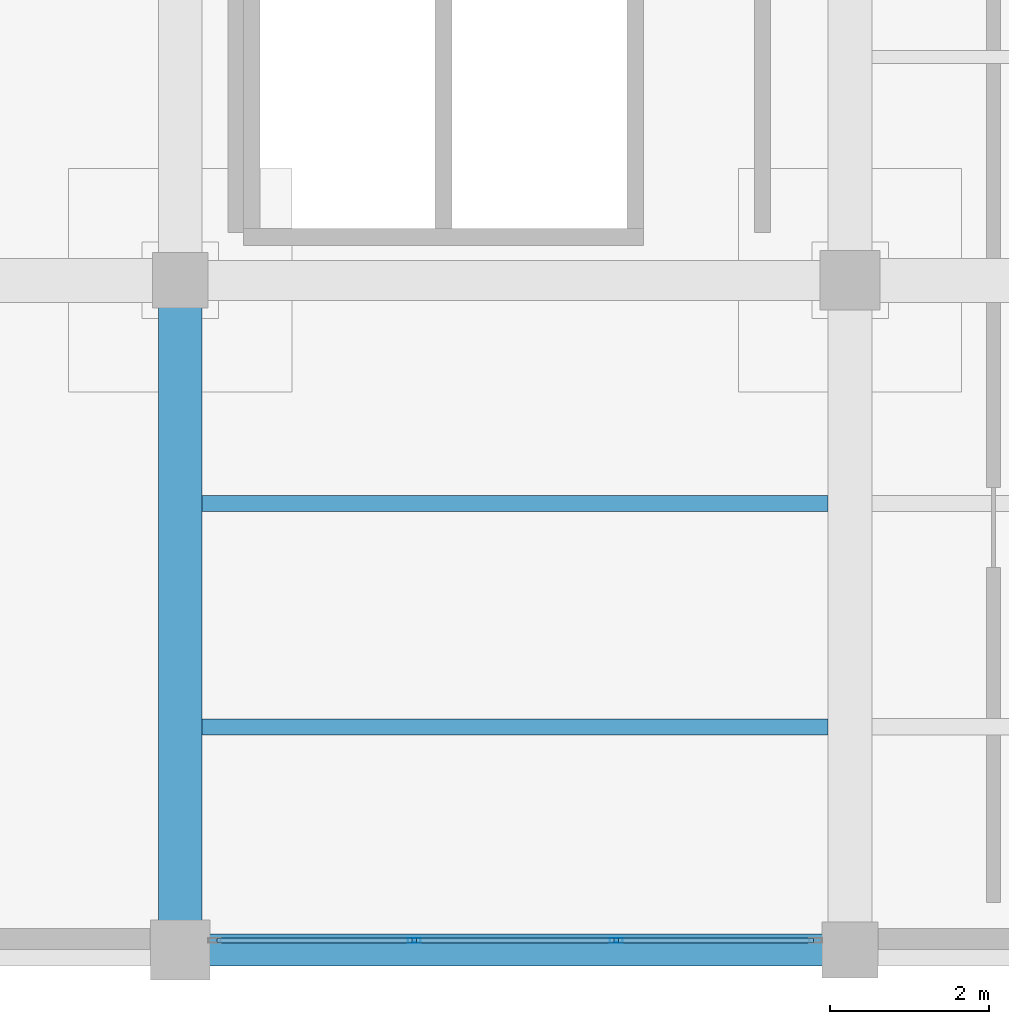
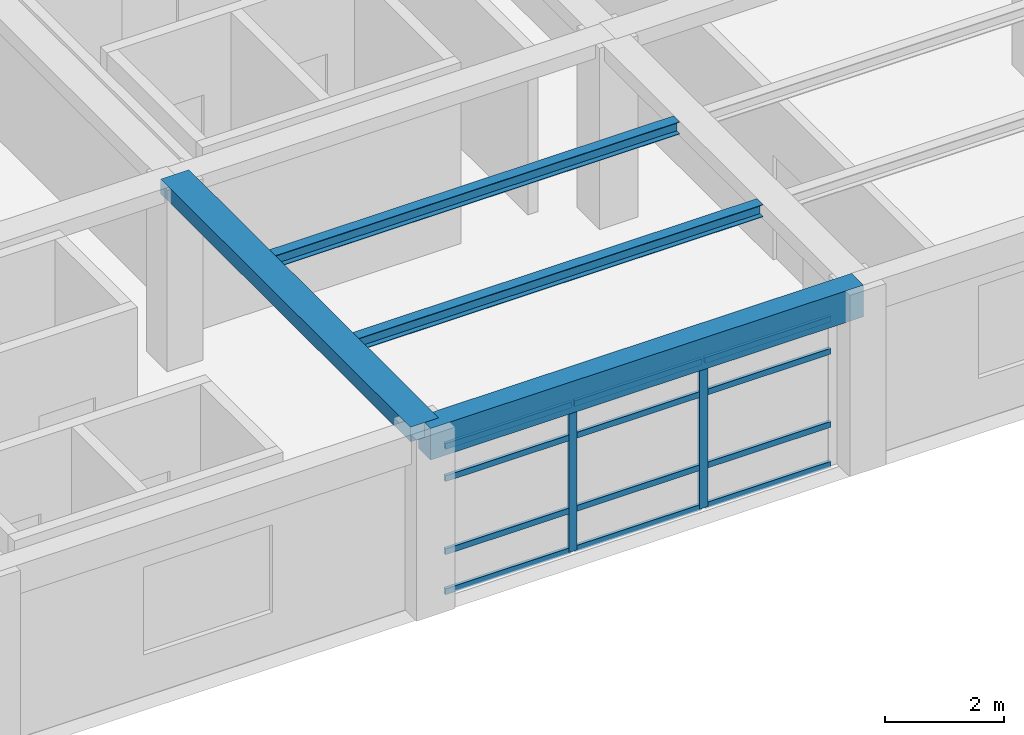
# One storey, part 6 of 31: 14 members, 4 beams, 1 element without a shape of its own.
"""IFC4 building model written with IfcOpenShell, lengths in metres."""

from ifc_helpers import new_model, si_unit, direction, frame, origin, origin_2d, place, context, subcontext, project, spatial, rectangle, hollow_rectangle, i_section, extrude, material, material_profile, profile_set, type_object, element, aggregate, save


model = new_model("IFC4")

# Units and contexts
model_context = context("Model", 3, precision=1e-05, world=origin(), true_north=direction((0.0, 1.0)))
body_context = subcontext(model_context, "Body", "Model", "MODEL_VIEW")
ifc_project = project(units=[si_unit("LENGTHUNIT", "METRE"), si_unit("AREAUNIT", "SQUARE_METRE"), si_unit("VOLUMEUNIT", "CUBIC_METRE"), si_unit("PLANEANGLEUNIT", "RADIAN"), si_unit("MASSUNIT", "GRAM", prefix="KILO")], contexts=[model_context])

# Site, building, storey
site_placement = place(None, origin())
site = spatial("IfcSite", under=ifc_project, at=site_placement, CompositionType="ELEMENT")
building_placement = place(site_placement, origin())
building = spatial("IfcBuilding", under=site, at=building_placement, Name="Almacenes y Pasaje Nevantli", CompositionType="ELEMENT")
storey_placement = place(building_placement, frame((0.0, 0.0, 34.699951171875)))
storey = spatial("IfcBuildingStorey", under=building, at=storey_placement, Name="L08", CompositionType="ELEMENT", Elevation=34.699951171875)

# Beams
ifc_material_1 = material(Name="Concrete C35/45", Category="concrete")
ifc_material_profile_1 = material_profile(ifc_material_1, rectangle(XDim=0.39990234375, YDim=0.64990234375, at=origin_2d()), Name="RC-BM-400x650")
ifc_profile_set_1 = profile_set([ifc_material_profile_1], Name="Concrete C35/45")
beam_type_1 = type_object("IfcBeamType", Name="BM-RC-400x650", PredefinedType="SPANDREL", material=ifc_profile_set_1)
beam_1_placement = place(storey_placement, frame((134.39990234375, 67.199951171875, 3.39501953125), z_axis=(1.0, 0.0, 0.0), x_axis=(0.0, 1.0, 0.0)))
element("IfcBeam", 1, at=beam_1_placement, inside=storey, type_object=beam_type_1, Name="L08 East-West Reinforced Concrete Beam #3688", PredefinedType="SPANDREL", context=body_context, shape_type="SweptSolid", body=[
    extrude(rectangle(XDim=0.39990234375, YDim=0.64990234375, at=origin_2d()), origin(), (0.0, 0.0, 1.0), 8.400146484375),
])
ifc_material_2 = material(Name="Concrete C35/45", Category="concrete")
ifc_material_profile_2 = material_profile(ifc_material_2, rectangle(XDim=0.550048828125, YDim=0.300048828125, at=origin_2d()), Name="RC-BM-550x300")
ifc_profile_set_2 = profile_set([ifc_material_profile_2], Name="Concrete C35/45")
beam_type_2 = type_object("IfcBeamType", Name="BM-RC-550x300", PredefinedType="BEAM", material=ifc_profile_set_2)
beam_2_placement = place(storey_placement, frame((134.39990234375, 67.199951171875, 3.570068359375), z_axis=(0.0, 1.0, 0.0), x_axis=(-1.0, 0.0, 0.0)))
element("IfcBeam", 2, at=beam_2_placement, inside=storey, type_object=beam_type_2, Name="L08 North-South Reinforced Concrete Beam #3726", PredefinedType="BEAM", context=body_context, shape_type="SweptSolid", body=[
    extrude(rectangle(XDim=0.550048828125, YDim=0.300048828125, at=origin_2d()), origin(), (0.0, 0.0, 1.0), 8.400146484375),
])
ifc_material_3 = material(Name="Steel ASTM A992", Category="steel")
ifc_material_profile_3 = material_profile(ifc_material_3, i_section(OverallWidth=0.202880859375, OverallDepth=0.25390625, WebThickness=0.00732421875, FlangeThickness=0.010986328125, at=origin_2d()), Name="IR 254x49.1")
ifc_profile_set_3 = profile_set([ifc_material_profile_3], Name="Steel ASTM A992")
beam_type_3 = type_object("IfcBeamType", Name="BM-STL-IR-254x49p1", PredefinedType="JOIST", material=ifc_profile_set_3)
for number, where, z_axis, x_axis, name in (
    (3, (134.675048828125, 70.0, 3.5849609375), (1.0, 0.0, 0.0), (0.0, 1.0, 0.0), "L08 Secondary Steel Floor Joist #1435"),
    (4, (134.675048828125, 72.800048828125, 3.5849609375), (1.0, 0.0, 0.0), (0.0, 1.0, 0.0), "L08 Secondary Steel Floor Joist #1436"),
):
    element("IfcBeam", number, at=place(storey_placement, frame(where, z_axis=z_axis, x_axis=x_axis)), inside=storey, type_object=beam_type_3, Name=name, PredefinedType="JOIST", context=body_context, shape_type="SweptSolid", body=[
        extrude(i_section(OverallWidth=0.202880859375, OverallDepth=0.25390625, WebThickness=0.00732421875, FlangeThickness=0.010986328125, at=origin_2d()), origin(), (0.0, 0.0, 1.0), 7.849853515625),
    ])

# Curtain wall, members
ifc_material_4 = material(Name="Thermally Broken Aluminium and Low-E Glass", Category="aluminium")
curtain_wall_type = type_object("IfcCurtainWallType", Name="CW-UNIT-TOWER", PredefinedType="USERDEFINED", material=ifc_material_4)
curtain_wall_placement = place(storey_placement, origin())
curtain_wall = element("IfcCurtainWall", 5, at=curtain_wall_placement, inside=storey, type_object=curtain_wall_type, Name="L08 Tower South Unitized Curtain Wall Bay 17", ObjectType="UNITIZED CURTAIN WALL", PredefinedType="USERDEFINED")
ifc_material_5 = material(Name="Thermally Broken Anodized Aluminium", Category="aluminium")
ifc_material_profile_4 = material_profile(ifc_material_5, hollow_rectangle(XDim=0.06005859375, YDim=0.159912109375, WallThickness=0.00390625, at=origin_2d()), Name="ALU-MUL-60x160")
ifc_profile_set_4 = profile_set([ifc_material_profile_4], Name="Thermally Broken Anodized Aluminium")
member_type_1 = type_object("IfcMemberType", Name="CW-MUL-180", PredefinedType="MULLION", material=ifc_profile_set_4)
member_1_placement = place(storey_placement, frame((137.333251953125, 67.320068359375, 0.0), z_axis=(0.0, 0.0, 1.0), x_axis=(0.0, 1.0, 0.0)))
member_1 = element("IfcMember", 6, at=member_1_placement, type_object=member_type_1, Name="CW-L08-124 mullion 2", PredefinedType="MULLION", context=body_context, shape_type="SweptSolid", body=[
    extrude(hollow_rectangle(XDim=0.06005859375, YDim=0.159912109375, WallThickness=0.00390625, at=origin_2d()), origin(), (0.0, 0.0, 1.0), 3.0400390625),
])
member_2_placement = place(storey_placement, frame((139.86669921875, 67.320068359375, 0.0), z_axis=(0.0, 0.0, 1.0), x_axis=(0.0, 1.0, 0.0)))
member_2 = element("IfcMember", 7, at=member_2_placement, type_object=member_type_1, Name="CW-L08-124 mullion 3", PredefinedType="MULLION", context=body_context, shape_type="SweptSolid", body=[
    extrude(hollow_rectangle(XDim=0.06005859375, YDim=0.159912109375, WallThickness=0.00390625, at=origin_2d()), origin(), (0.0, 0.0, 1.0), 3.0400390625),
])
ifc_material_6 = material(Name="Thermally Broken Anodized Aluminium", Category="aluminium")
ifc_material_profile_5 = material_profile(ifc_material_6, hollow_rectangle(XDim=0.06005859375, YDim=0.1201171875, WallThickness=0.00341796875, at=origin_2d()), Name="ALU-TRN-60x120")
ifc_profile_set_5 = profile_set([ifc_material_profile_5], Name="Thermally Broken Anodized Aluminium")
member_type_2 = type_object("IfcMemberType", Name="CW-TRN-130", PredefinedType="USERDEFINED", material=ifc_profile_set_5)
member_3_placement = place(storey_placement, frame((134.860107421875, 67.320068359375, 0.030029296875), z_axis=(1.0, 0.0, 0.0), x_axis=(0.0, 1.0, 0.0)))
member_3 = element("IfcMember", 8, at=member_3_placement, type_object=member_type_2, Name="CW-L08-124 transom 1.1", ObjectType="TRANSOM", PredefinedType="USERDEFINED", context=body_context, shape_type="SweptSolid", body=[
    extrude(hollow_rectangle(XDim=0.06005859375, YDim=0.1201171875, WallThickness=0.00341796875, at=origin_2d()), origin(), (0.0, 0.0, 1.0), 2.443115234375),
])
member_4_placement = place(storey_placement, frame((134.860107421875, 67.320068359375, 0.85009765625), z_axis=(1.0, 0.0, 0.0), x_axis=(0.0, 1.0, 0.0)))
member_4 = element("IfcMember", 9, at=member_4_placement, type_object=member_type_2, Name="CW-L08-124 transom 1.2", ObjectType="TRANSOM", PredefinedType="USERDEFINED", context=body_context, shape_type="SweptSolid", body=[
    extrude(hollow_rectangle(XDim=0.06005859375, YDim=0.1201171875, WallThickness=0.00341796875, at=origin_2d()), origin(), (0.0, 0.0, 1.0), 2.443115234375),
])
member_5_placement = place(storey_placement, frame((134.860107421875, 67.320068359375, 2.35009765625), z_axis=(1.0, 0.0, 0.0), x_axis=(0.0, 1.0, 0.0)))
member_5 = element("IfcMember", 10, at=member_5_placement, type_object=member_type_2, Name="CW-L08-124 transom 1.3", ObjectType="TRANSOM", PredefinedType="USERDEFINED", context=body_context, shape_type="SweptSolid", body=[
    extrude(hollow_rectangle(XDim=0.06005859375, YDim=0.1201171875, WallThickness=0.00341796875, at=origin_2d()), origin(), (0.0, 0.0, 1.0), 2.443115234375),
])
member_6_placement = place(storey_placement, frame((134.860107421875, 67.320068359375, 3.010009765625), z_axis=(1.0, 0.0, 0.0), x_axis=(0.0, 1.0, 0.0)))
member_6 = element("IfcMember", 11, at=member_6_placement, type_object=member_type_2, Name="CW-L08-124 transom 1.4", ObjectType="TRANSOM", PredefinedType="USERDEFINED", context=body_context, shape_type="SweptSolid", body=[
    extrude(hollow_rectangle(XDim=0.06005859375, YDim=0.1201171875, WallThickness=0.00341796875, at=origin_2d()), origin(), (0.0, 0.0, 1.0), 2.443115234375),
])
member_7_placement = place(storey_placement, frame((137.36328125, 67.320068359375, 0.030029296875), z_axis=(1.0, 0.0, 0.0), x_axis=(0.0, 1.0, 0.0)))
member_7 = element("IfcMember", 12, at=member_7_placement, type_object=member_type_2, Name="CW-L08-124 transom 2.1", ObjectType="TRANSOM", PredefinedType="USERDEFINED", context=body_context, shape_type="SweptSolid", body=[
    extrude(hollow_rectangle(XDim=0.06005859375, YDim=0.1201171875, WallThickness=0.00341796875, at=origin_2d()), origin(), (0.0, 0.0, 1.0), 2.473388671875),
])
member_8_placement = place(storey_placement, frame((137.36328125, 67.320068359375, 0.85009765625), z_axis=(1.0, 0.0, 0.0), x_axis=(0.0, 1.0, 0.0)))
member_8 = element("IfcMember", 13, at=member_8_placement, type_object=member_type_2, Name="CW-L08-124 transom 2.2", ObjectType="TRANSOM", PredefinedType="USERDEFINED", context=body_context, shape_type="SweptSolid", body=[
    extrude(hollow_rectangle(XDim=0.06005859375, YDim=0.1201171875, WallThickness=0.00341796875, at=origin_2d()), origin(), (0.0, 0.0, 1.0), 2.473388671875),
])
member_9_placement = place(storey_placement, frame((137.36328125, 67.320068359375, 2.35009765625), z_axis=(1.0, 0.0, 0.0), x_axis=(0.0, 1.0, 0.0)))
member_9 = element("IfcMember", 14, at=member_9_placement, type_object=member_type_2, Name="CW-L08-124 transom 2.3", ObjectType="TRANSOM", PredefinedType="USERDEFINED", context=body_context, shape_type="SweptSolid", body=[
    extrude(hollow_rectangle(XDim=0.06005859375, YDim=0.1201171875, WallThickness=0.00341796875, at=origin_2d()), origin(), (0.0, 0.0, 1.0), 2.473388671875),
])
member_10_placement = place(storey_placement, frame((137.36328125, 67.320068359375, 3.010009765625), z_axis=(1.0, 0.0, 0.0), x_axis=(0.0, 1.0, 0.0)))
member_10 = element("IfcMember", 15, at=member_10_placement, type_object=member_type_2, Name="CW-L08-124 transom 2.4", ObjectType="TRANSOM", PredefinedType="USERDEFINED", context=body_context, shape_type="SweptSolid", body=[
    extrude(hollow_rectangle(XDim=0.06005859375, YDim=0.1201171875, WallThickness=0.00341796875, at=origin_2d()), origin(), (0.0, 0.0, 1.0), 2.473388671875),
])
member_11_placement = place(storey_placement, frame((139.896728515625, 67.320068359375, 0.030029296875), z_axis=(1.0, 0.0, 0.0), x_axis=(0.0, 1.0, 0.0)))
member_11 = element("IfcMember", 16, at=member_11_placement, type_object=member_type_2, Name="CW-L08-124 transom 3.1", ObjectType="TRANSOM", PredefinedType="USERDEFINED", context=body_context, shape_type="SweptSolid", body=[
    extrude(hollow_rectangle(XDim=0.06005859375, YDim=0.1201171875, WallThickness=0.00341796875, at=origin_2d()), origin(), (0.0, 0.0, 1.0), 2.443359375),
])
member_12_placement = place(storey_placement, frame((139.896728515625, 67.320068359375, 0.85009765625), z_axis=(1.0, 0.0, 0.0), x_axis=(0.0, 1.0, 0.0)))
member_12 = element("IfcMember", 17, at=member_12_placement, type_object=member_type_2, Name="CW-L08-124 transom 3.2", ObjectType="TRANSOM", PredefinedType="USERDEFINED", context=body_context, shape_type="SweptSolid", body=[
    extrude(hollow_rectangle(XDim=0.06005859375, YDim=0.1201171875, WallThickness=0.00341796875, at=origin_2d()), origin(), (0.0, 0.0, 1.0), 2.443359375),
])
member_13_placement = place(storey_placement, frame((139.896728515625, 67.320068359375, 2.35009765625), z_axis=(1.0, 0.0, 0.0), x_axis=(0.0, 1.0, 0.0)))
member_13 = element("IfcMember", 18, at=member_13_placement, type_object=member_type_2, Name="CW-L08-124 transom 3.3", ObjectType="TRANSOM", PredefinedType="USERDEFINED", context=body_context, shape_type="SweptSolid", body=[
    extrude(hollow_rectangle(XDim=0.06005859375, YDim=0.1201171875, WallThickness=0.00341796875, at=origin_2d()), origin(), (0.0, 0.0, 1.0), 2.443359375),
])
member_14_placement = place(storey_placement, frame((139.896728515625, 67.320068359375, 3.010009765625), z_axis=(1.0, 0.0, 0.0), x_axis=(0.0, 1.0, 0.0)))
member_14 = element("IfcMember", 19, at=member_14_placement, type_object=member_type_2, Name="CW-L08-124 transom 3.4", ObjectType="TRANSOM", PredefinedType="USERDEFINED", context=body_context, shape_type="SweptSolid", body=[
    extrude(hollow_rectangle(XDim=0.06005859375, YDim=0.1201171875, WallThickness=0.00341796875, at=origin_2d()), origin(), (0.0, 0.0, 1.0), 2.443359375),
])
aggregate(curtain_wall, [member_1, member_2, member_3, member_4, member_5, member_6, member_7, member_8, member_9, member_10, member_11, member_12, member_13, member_14])

save(model, "model.ifc")
